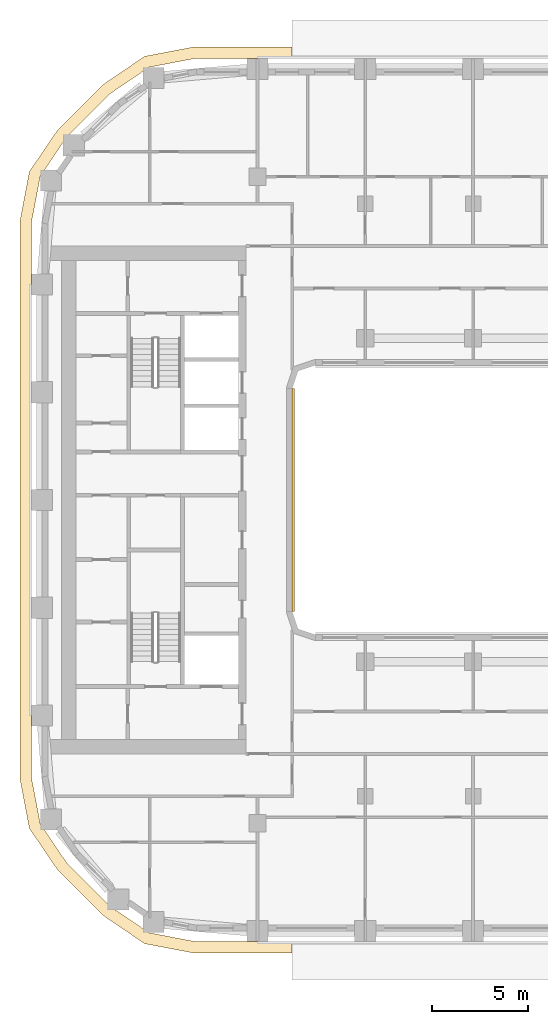
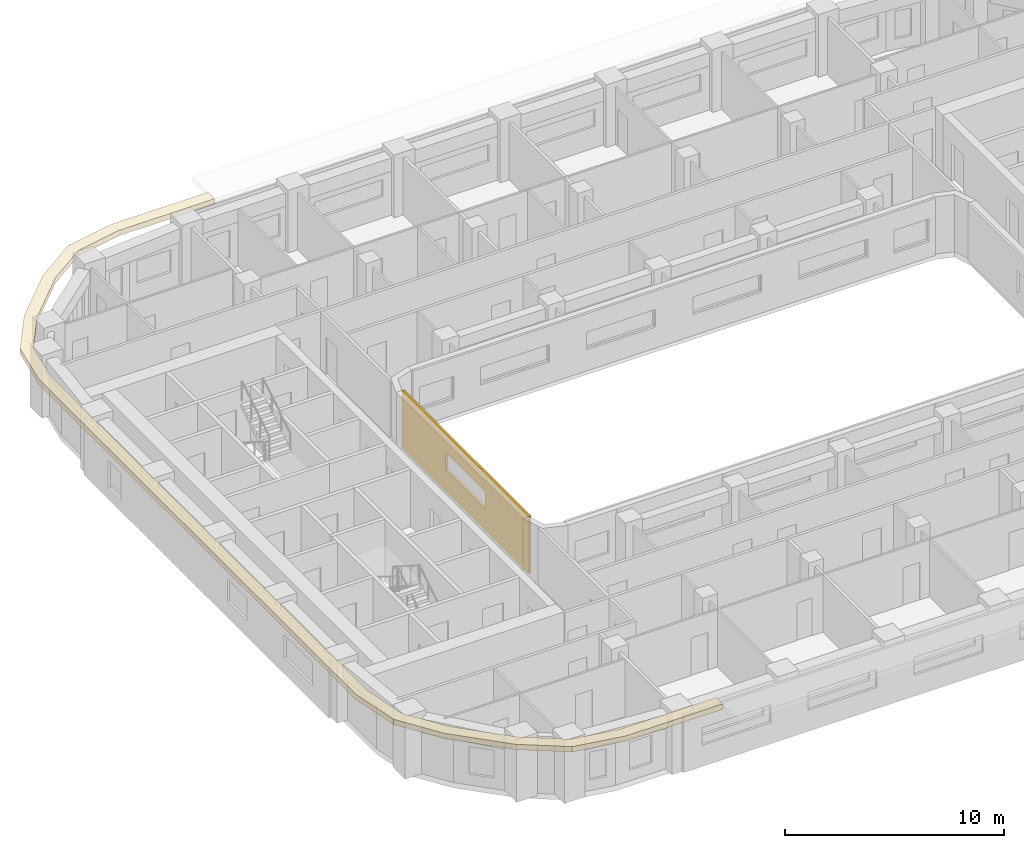
# One storey, part 14 of 22: 2 coverings.
"""IFC4 building model written with IfcOpenShell, lengths in metres."""

import ifcopenshell
import ifcopenshell.guid

model = None  # the IFC model being written
_history = None  # IfcOwnerHistory: only IFC2X3 demands one
_inside = {}  # id of a spatial element -> (the spatial element, [elements in it])
_under = {}  # id of a project, library or spatial element -> (it, [spatial elements below it])
_declared = {}  # id of a project -> (the project, [libraries it declares])
_typed = {}  # id of a type object -> (the type object, [elements of that type])
_made_of = {}  # id of a material, layer set ... -> (it, [elements and type objects made of it])


def new_model(schema):
    """Start an empty IFC model of exactly this schema.

    Asked for "IFC4X3", IfcOpenShell would pick the latest addendum, in which some entities
    have other attributes; the version numbers below select the first issue.
    IFC2X3 requires an IfcOwnerHistory on every rooted entity: one is made here for all.
    """
    global model, _history
    if schema == "IFC4X3":
        model = ifcopenshell.file(schema_version=(4, 3, 0, 0))
    else:
        model = ifcopenshell.file(schema=schema)
    _inside.clear()
    _under.clear()
    _declared.clear()
    _typed.clear()
    _made_of.clear()
    _history = None
    if model.schema == "IFC2X3":
        org = make("IfcOrganization", Name="unknown")
        user = make(
            "IfcPersonAndOrganization",
            ThePerson=make("IfcPerson", FamilyName="unknown"),
            TheOrganization=org,
        )
        app = make(
            "IfcApplication",
            ApplicationDeveloper=org,
            Version="unknown",
            ApplicationFullName="unknown",
            ApplicationIdentifier="unknown",
        )
        _history = make(
            "IfcOwnerHistory",
            OwningUser=user,
            OwningApplication=app,
            ChangeAction="ADDED",
            CreationDate=0,
        )
    return model


def make(cls, **values):
    """One entity of the class cls with the attributes given. An attribute that is None is left unset."""
    return model.create_entity(
        cls, **{name: value for name, value in values.items() if value is not None}
    )


def rooted(cls, **values):
    """An entity with a GlobalId (a new one), such as an element, a storey or a relation."""
    return make(cls, GlobalId=ifcopenshell.guid.new(), OwnerHistory=_history, **values)


def si_unit(unit_type, name, prefix=None):
    """IfcSIUnit, for example si_unit("LENGTHUNIT", "METRE", prefix="MILLI")."""
    return make("IfcSIUnit", UnitType=unit_type, Prefix=prefix, Name=name)


def assignment(units):
    """IfcUnitAssignment: the units of a project."""
    return None if units is None else make("IfcUnitAssignment", Units=units)


def point(xyz):
    """IfcCartesianPoint."""
    return None if xyz is None else make("IfcCartesianPoint", Coordinates=xyz)


def direction(xyz):
    """IfcDirection."""
    return None if xyz is None else make("IfcDirection", DirectionRatios=xyz)


def frame(location, z_axis=None, x_axis=None):
    """IfcAxis2Placement3D, a coordinate frame: its origin and axes. An axis left out is left unset."""
    return make(
        "IfcAxis2Placement3D",
        Location=point(location),
        Axis=direction(z_axis),
        RefDirection=direction(x_axis),
    )


def origin():
    """The frame at (0, 0, 0) with its axes left unset."""
    return frame((0.0, 0.0, 0.0))


def place(relative_to, where):
    """IfcLocalPlacement: puts the frame where relative to a parent placement (None: the world)."""
    return make(
        "IfcLocalPlacement", PlacementRelTo=relative_to, RelativePlacement=where
    )


def context(
    kind, dimensions, precision=None, world=None, true_north=None, identifier=None
):
    """IfcGeometricRepresentationContext, for example the 3D "Model" context."""
    return make(
        "IfcGeometricRepresentationContext",
        ContextIdentifier=identifier,
        ContextType=kind,
        CoordinateSpaceDimension=dimensions,
        Precision=precision,
        WorldCoordinateSystem=world,
        TrueNorth=true_north,
    )


def subcontext(parent, identifier, kind, view, scale=None):
    """IfcGeometricRepresentationSubContext, for example "Body" below "Model"."""
    return make(
        "IfcGeometricRepresentationSubContext",
        ContextIdentifier=identifier,
        ContextType=kind,
        ParentContext=parent,
        TargetScale=scale,
        TargetView=view,
    )


def project(units=None, contexts=None):
    """IfcProject with its units and contexts."""
    return rooted(
        "IfcProject",
        Name="project",
        RepresentationContexts=contexts,
        UnitsInContext=assignment(units),
    )


def spatial(cls, under=None, at=None, **own):
    """A site, building, storey or space (cls), placed at a placement, below another one or the project."""
    s = rooted(cls, ObjectPlacement=at, **own)
    if under is not None:
        _under.setdefault(under.id(), (under, []))[1].append(s)
    return s


def polyline(points):
    """IfcPolyline through the points."""
    return make("IfcPolyline", Points=[point(p) for p in points])


def outline(outer, holes=None, kind="AREA"):
    """IfcArbitraryClosedProfileDef: a profile drawn as a closed curve; with holes, ...WithVoids."""
    if holes is None:
        return make("IfcArbitraryClosedProfileDef", ProfileType=kind, OuterCurve=outer)
    return make(
        "IfcArbitraryProfileDefWithVoids",
        ProfileType=kind,
        OuterCurve=outer,
        InnerCurves=holes,
    )


def extrude(swept, where, along, depth):
    """IfcExtrudedAreaSolid: the profile swept, set in the frame where, extruded along a direction by depth."""
    return make(
        "IfcExtrudedAreaSolid",
        SweptArea=swept,
        Position=where,
        ExtrudedDirection=direction(along),
        Depth=depth,
    )


def shape(context_of_items, identifier, shape_type, items):
    """IfcShapeRepresentation: the items that make up one representation, for example the "Body"."""
    return make(
        "IfcShapeRepresentation",
        ContextOfItems=context_of_items,
        RepresentationIdentifier=identifier,
        RepresentationType=shape_type,
        Items=items,
    )


def material(Name=None, Category=None):
    """IfcMaterial."""
    return make("IfcMaterial", Name=Name, Category=Category)


def layer(
    of_material, thickness, ventilated=None, Name=None, Category=None, Priority=None
):
    """IfcMaterialLayer: one layer of a wall or slab, of a material (None: an air gap)."""
    return make(
        "IfcMaterialLayer",
        Material=of_material,
        LayerThickness=thickness,
        IsVentilated=ventilated,
        Name=Name,
        Category=Category,
        Priority=Priority,
    )


def layer_set(layers, Name=None):
    """IfcMaterialLayerSet."""
    return make("IfcMaterialLayerSet", MaterialLayers=layers, LayerSetName=Name)


def made_of(thing, what):
    """Note that an element or type object is made of a material, layer set ...; save() writes the relation."""
    if what is not None:
        _made_of.setdefault(what.id(), (what, []))[1].append(thing)
    return thing


def type_object(cls, material=None, **own):
    """A type object (cls), such as IfcWallType, which elements share."""
    return made_of(rooted(cls, **own), material)


def element(
    cls,
    number,
    at=None,
    inside=None,
    cuts=None,
    type_object=None,
    material=None,
    context=None,
    identifier="Body",
    shape_type=None,
    held_by="IfcProductDefinitionShape",
    body=None,
    shapes=None,
    **own,
):
    """One element of the class cls, such as IfcWall. Its Tag is "e" and its number.

    at: its placement. inside: the storey or other place that contains it. cuts: it is an
    opening in that element (IfcRelVoidsElement). A single representation is given by context,
    identifier, shape_type and body (its items); several are given by shapes. held_by: the class
    of the entity that holds the representations. save() writes the other relations.
    """
    e = rooted(cls, Tag="e%d" % number, ObjectPlacement=at, **own)
    if body is not None:
        shapes = [shape(context, identifier, shape_type, body)]
    if shapes is not None:
        e.Representation = make(held_by, Representations=shapes)
    if inside is not None:
        _inside.setdefault(inside.id(), (inside, []))[1].append(e)
    if cuts is not None:
        rooted(
            "IfcRelVoidsElement", RelatingBuildingElement=cuts, RelatedOpeningElement=e
        )
    if type_object is not None:
        _typed.setdefault(type_object.id(), (type_object, []))[1].append(e)
    return made_of(e, material)


def aggregate(whole, parts):
    """IfcRelAggregates: a whole, such as a stair, and the parts it consists of."""
    return rooted("IfcRelAggregates", RelatingObject=whole, RelatedObjects=parts)


def save(model, path):
    """Write the relations noted so far, then the file.

    IfcRelAggregates (storeys below a building ...), IfcRelContainedInSpatialStructure (elements
    in a storey), IfcRelDefinesByType, IfcRelAssociatesMaterial and IfcRelDeclares: one each for
    every whole, place, type object, material and project.
    """
    for whole, parts in _under.values():
        aggregate(whole, parts)
    for where, things in _inside.values():
        rooted(
            "IfcRelContainedInSpatialStructure",
            RelatedElements=things,
            RelatingStructure=where,
        )
    for kind, things in _typed.values():
        rooted("IfcRelDefinesByType", RelatedObjects=things, RelatingType=kind)
    for what, things in _made_of.values():
        rooted("IfcRelAssociatesMaterial", RelatedObjects=things, RelatingMaterial=what)
    for by, libraries in _declared.values():
        rooted("IfcRelDeclares", RelatingContext=by, RelatedDefinitions=libraries)
    model.write(path)


model = new_model("IFC4")

# Units and contexts
model_context = context("Model", 3, precision=1e-05, world=origin(), true_north=direction((0.0, 1.0)))
body_context = subcontext(model_context, "Body", "Model", "MODEL_VIEW")
ifc_project = project(units=[si_unit("LENGTHUNIT", "METRE"), si_unit("AREAUNIT", "SQUARE_METRE"), si_unit("VOLUMEUNIT", "CUBIC_METRE"), si_unit("PLANEANGLEUNIT", "RADIAN"), si_unit("MASSUNIT", "GRAM", prefix="KILO")], contexts=[model_context])

# Site, building, storey
site_placement = place(None, origin())
site = spatial("IfcSite", under=ifc_project, at=site_placement, CompositionType="ELEMENT")
building_placement = place(site_placement, origin())
building = spatial("IfcBuilding", under=site, at=building_placement, Name="Kiln Ring Residences", CompositionType="ELEMENT")
storey_placement = place(building_placement, frame((0.0, 0.0, 153.60009765625)))
storey = spatial("IfcBuildingStorey", under=building, at=storey_placement, Name="L39", CompositionType="ELEMENT", Elevation=153.60009765625)

# Coverings
ifc_material_1 = material(Name="Brick masonry, dark clay brick", Category="masonry")
ifc_layer_1 = layer(ifc_material_1, 0.1201171875)
ifc_layer_set_1 = layer_set([ifc_layer_1], Name="RAINSCREEN PANEL 120")
covering_type_1 = type_object("IfcCoveringType", Name="RAINSCREEN PANEL 120", PredefinedType="CLADDING", material=ifc_layer_set_1)
covering_1_placement = place(storey_placement, frame((-14.93994140625, -5.800048828125, 0.0), z_axis=(0.0, 0.0, 1.0), x_axis=(0.0, 1.0, 0.0)))
element("IfcCovering", 1, at=covering_1_placement, inside=storey, type_object=covering_type_1, Name="RAINSCREEN L39", PredefinedType="CLADDING", context=body_context, shape_type="SweptSolid", body=[
    extrude(outline(polyline([(0.0, 0.0), (11.60009765625, 0.0), (11.60009765625, 3.199951171875), (0.0, 3.199951171875), (0.0, 0.0)]), holes=[polyline([(4.0, 2.14990234375), (4.0, 1.199951171875), (7.60009765625, 1.199951171875), (7.60009765625, 2.14990234375), (4.0, 2.14990234375)])]), frame((0.0, 0.06005859375, 0.0), z_axis=(0.0, -1.0, 0.0), x_axis=(1.0, 0.0, 0.0)), (0.0, 0.0, 1.0), 0.1201171875),
])
ifc_material_2 = material(Name="Black powder-coated steel", Category="steel")
ifc_layer_2 = layer(ifc_material_2, 0.300048828125)
ifc_layer_set_2 = layer_set([ifc_layer_2], Name="SUNSHADE FIN 600")
covering_type_2 = type_object("IfcCoveringType", Name="SUNSHADE FIN 600", PredefinedType="CLADDING", material=ifc_layer_set_2)
covering_2_placement = place(storey_placement, frame((0.0, 0.0, 3.199951171875)))
element("IfcCovering", 2, at=covering_2_placement, inside=storey, type_object=covering_type_2, Name="SUNSHADE FIN L39", PredefinedType="CLADDING", context=body_context, shape_type="SweptSolid", body=[
    extrude(outline(polyline([(-29.14990234375, -14.5087890625), (-28.66064453125, -17.07373046875), (-27.193115234375, -19.2333984375), (-24.83349609375, -21.593017578125), (-22.673583984375, -23.060791015625), (-20.108642578125, -23.550048828125), (-15.0, -23.550048828125), (-15.0, -22.949951171875), (-20.052001953125, -22.949951171875), (-22.439208984375, -22.49462890625), (-24.44921875, -21.128662109375), (-26.728515625, -18.84912109375), (-28.0947265625, -16.839111328125), (-28.550048828125, -14.451904296875), (-28.550048828125, 14.451904296875), (-28.0947265625, 16.839111328125), (-26.728515625, 18.84912109375), (-24.44921875, 21.128662109375), (-22.439208984375, 22.49462890625), (-20.052001953125, 22.949951171875), (-15.0, 22.949951171875), (-15.0, 23.550048828125), (-20.108642578125, 23.550048828125), (-22.673583984375, 23.060791015625), (-24.83349609375, 21.593017578125), (-27.193115234375, 19.2333984375), (-28.66064453125, 17.07373046875), (-29.14990234375, 14.5087890625), (-29.14990234375, -14.5087890625)])), origin(), (0.0, 0.0, 1.0), 0.300048828125),
])

save(model, "model.ifc")
